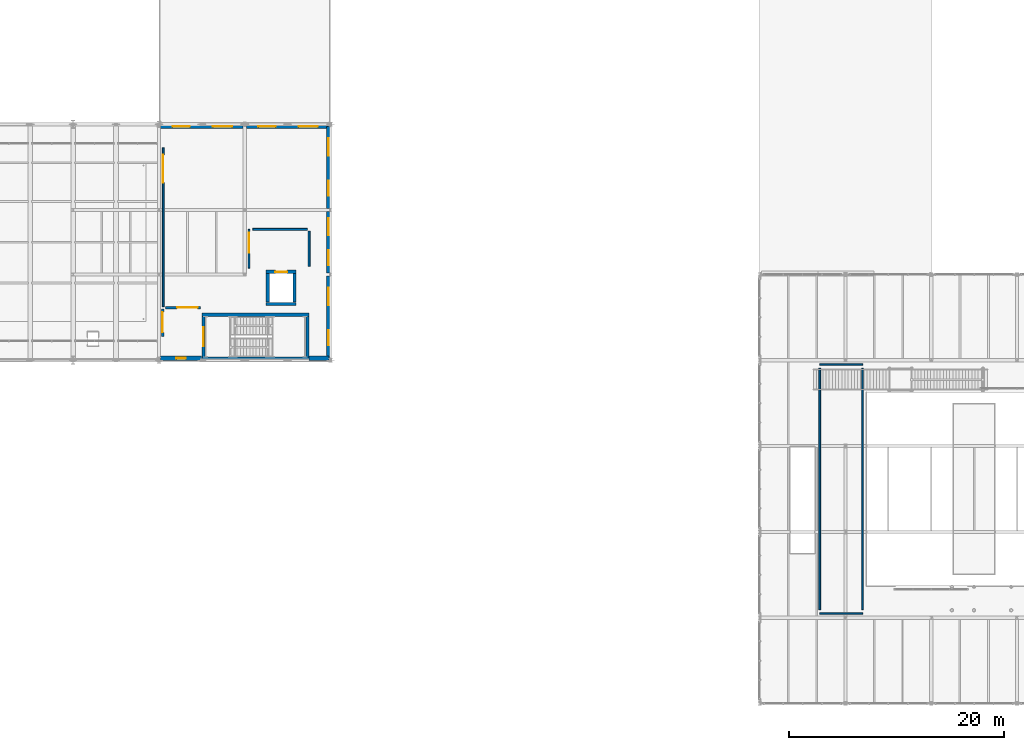
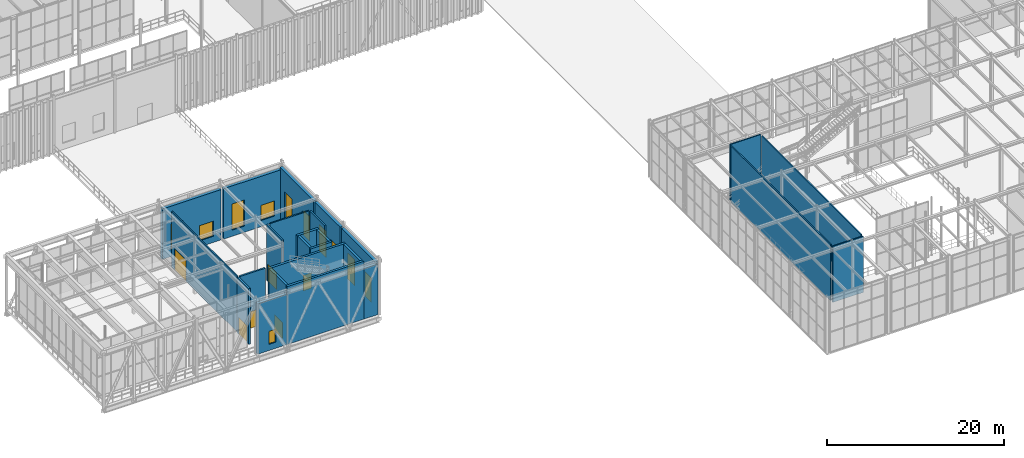
# One storey, part 90 of 138: 25 walls, 11 windows, 6 doors, 17 openings.
"""IFC4 building model written with IfcOpenShell, lengths in metres."""

from ifc_helpers import new_model, si_unit, direction, frame, frame_2d, origin, place, context, subcontext, project, spatial, rectangle, extrude, material, layer, layer_set, type_object, element, fill, save


model = new_model("IFC4")

# Units and contexts
model_context = context("Model", 3, precision=1e-05, world=origin(), true_north=direction((0.0, 1.0)))
body_context = subcontext(model_context, "Body", "Model", "MODEL_VIEW")
ifc_project = project(units=[si_unit("LENGTHUNIT", "METRE"), si_unit("AREAUNIT", "SQUARE_METRE"), si_unit("VOLUMEUNIT", "CUBIC_METRE"), si_unit("PLANEANGLEUNIT", "RADIAN"), si_unit("MASSUNIT", "GRAM", prefix="KILO")], contexts=[model_context])

# Site, building, storey
site_placement = place(None, origin())
site = spatial("IfcSite", under=ifc_project, at=site_placement, CompositionType="ELEMENT")
building_placement = place(site_placement, origin())
building = spatial("IfcBuilding", under=site, at=building_placement, Name="Sundkrona Museum", CompositionType="ELEMENT")
storey_placement = place(building_placement, frame((0.0, 0.0, 9.60009765625)))
storey = spatial("IfcBuildingStorey", under=building, at=storey_placement, Name="L02", CompositionType="ELEMENT", Elevation=9.60009765625)

# Walls
ifc_material_1 = material(Name="Concrete C40/50", Category="concrete")
ifc_layer_1 = layer(ifc_material_1, 0.300048828125)
ifc_layer_set_1 = layer_set([ifc_layer_1], Name="Concrete C40/50")
wall_type_1 = type_object("IfcWallType", Name="W-CORE-300", PredefinedType="SHEAR", material=ifc_layer_set_1)
for number, where, z_axis, x_axis, name in (
    (1, (28.0, 32.14990234375, 0.0), (0.0, 0.0, 1.0), (1.0, 0.0, 0.0), "L02 ST-4 Core Shear Wall South"),
    (2, (28.0, 36.25, 0.0), (0.0, 0.0, 1.0), (1.0, 0.0, 0.0), "L02 ST-4 Core Shear Wall North"),
):
    element("IfcWall", number, at=place(storey_placement, frame(where, z_axis=z_axis, x_axis=x_axis)), inside=storey, type_object=wall_type_1, Name=name, PredefinedType="SHEAR", context=body_context, shape_type="SweptSolid", body=[
        extrude(rectangle(XDim=10.0, YDim=0.300048828125, at=frame_2d((5.0, 0.0))), origin(), (0.0, 0.0, 1.0), 8.0),
    ])

# Wall, opening, door
wall_1_placement = place(storey_placement, frame((28.14990234375, 32.31005859375, 0.0), z_axis=(0.0, 0.0, 1.0), x_axis=(0.0, 1.0, 0.0)))
wall_1 = element("IfcWall", 3, at=wall_1_placement, inside=storey, type_object=wall_type_1, Name="L02 ST-4 Core Shear Wall West", PredefinedType="SHEAR", context=body_context, shape_type="SweptSolid", body=[
    extrude(rectangle(XDim=3.780029296875, YDim=0.300048828125, at=frame_2d((1.89013671875, 0.0))), origin(), (0.0, 0.0, 1.0), 8.0),
])
opening_1_placement = place(wall_1_placement, frame((0.989990234375, 0.0, 0.0)))
opening_1 = element("IfcOpeningElement", 4, at=opening_1_placement, cuts=wall_1, Name="Opening D-FD60", PredefinedType="OPENING", context=body_context, shape_type="SweptSolid", body=[
    extrude(rectangle(XDim=1.800048828125, YDim=2.199951171875, at=frame_2d((0.89990234375, 1.10009765625))), frame((0.0, 0.159912109375, 0.0), z_axis=(0.0, -1.0, 0.0), x_axis=(1.0, 0.0, 0.0)), (0.0, 0.0, 1.0), 0.320068359375),
])
ifc_material_2 = material(Name="Steel S355J2 Fire Door Leaf", Category="steel")
door_type_1 = type_object("IfcDoorType", Name="D-FD60", OperationType="DOUBLE_DOOR_SINGLE_SWING", PredefinedType="DOOR", material=ifc_material_2)
door_1_placement = place(opening_1_placement, origin())
door_1 = element("IfcDoor", 5, at=door_1_placement, inside=storey, type_object=door_type_1, Name="L02 ST-4 Protected Escape Stair Door DR-ST-4-L02", OperationType="DOUBLE_DOOR_SINGLE_SWING", OverallHeight=2.199951171875, OverallWidth=1.800048828125, PredefinedType="DOOR", context=body_context, shape_type="SweptSolid", body=[
    extrude(rectangle(XDim=1.800048828125, YDim=2.199951171875, at=frame_2d((0.89990234375, 1.10009765625))), frame((0.0, 0.02490234375, 0.0), z_axis=(0.0, -1.0, 0.0), x_axis=(1.0, 0.0, 0.0)), (0.0, 0.0, 1.0), 0.050048828125),
])
fill(opening_1, door_1)

# Walls
wall_2_placement = place(storey_placement, frame((37.85009765625, 32.31005859375, 0.0), z_axis=(0.0, 0.0, 1.0), x_axis=(0.0, 1.0, 0.0)))
element("IfcWall", 6, at=wall_2_placement, inside=storey, type_object=wall_type_1, Name="L02 ST-4 Core Shear Wall East", PredefinedType="SHEAR", context=body_context, shape_type="SweptSolid", body=[
    extrude(rectangle(XDim=3.780029296875, YDim=0.300048828125, at=frame_2d((1.89013671875, 0.0))), origin(), (0.0, 0.0, 1.0), 8.0),
])
wall_3_placement = place(storey_placement, frame((34.0, 37.25, 0.0), z_axis=(0.0, 0.0, 1.0), x_axis=(1.0, 0.0, 0.0)))
element("IfcWall", 7, at=wall_3_placement, inside=storey, type_object=wall_type_1, Name="L02 PL-4 Lift Shaft Wall South", PredefinedType="SHEAR", context=body_context, shape_type="SweptSolid", body=[
    extrude(rectangle(XDim=2.800048828125, YDim=0.300048828125, at=frame_2d((1.39990234375, 0.0))), origin(), (0.0, 0.0, 1.0), 8.0),
])

# Wall, opening, door
wall_4_placement = place(storey_placement, frame((34.0, 40.25, 0.0), z_axis=(0.0, 0.0, 1.0), x_axis=(1.0, 0.0, 0.0)))
wall_4 = element("IfcWall", 8, at=wall_4_placement, inside=storey, type_object=wall_type_1, Name="L02 PL-4 Lift Shaft Wall North", PredefinedType="SHEAR", context=body_context, shape_type="SweptSolid", body=[
    extrude(rectangle(XDim=2.800048828125, YDim=0.300048828125, at=frame_2d((1.39990234375, 0.0))), origin(), (0.0, 0.0, 1.0), 8.0),
])
opening_2_placement = place(wall_4_placement, frame((0.85009765625, 0.0, 0.0)))
opening_2 = element("IfcOpeningElement", 9, at=opening_2_placement, cuts=wall_4, Name="Opening LD-01", PredefinedType="OPENING", context=body_context, shape_type="SweptSolid", body=[
    extrude(rectangle(XDim=1.10009765625, YDim=2.14990234375, at=frame_2d((0.550048828125, 1.074951171875))), frame((0.0, 0.159912109375, 0.0), z_axis=(0.0, -1.0, 0.0), x_axis=(1.0, 0.0, 0.0)), (0.0, 0.0, 1.0), 0.320068359375),
])
ifc_material_3 = material(Name="Brushed Stainless Steel Lift Door", Category="steel")
door_type_2 = type_object("IfcDoorType", Name="LD-01", OperationType="SLIDING_TO_LEFT", PredefinedType="DOOR", material=ifc_material_3)
door_2_placement = place(opening_2_placement, origin())
door_2 = element("IfcDoor", 10, at=door_2_placement, inside=storey, type_object=door_type_2, Name="L02 West Pavilion Passenger Lift PL-4 Landing Door DR-LIFT-PL-4-L02", OperationType="SLIDING_TO_LEFT", OverallHeight=2.14990234375, OverallWidth=1.10009765625, PredefinedType="DOOR", context=body_context, shape_type="SweptSolid", body=[
    extrude(rectangle(XDim=1.10009765625, YDim=2.14990234375, at=frame_2d((0.550048828125, 1.074951171875))), frame((0.0, 0.02490234375, 0.0), z_axis=(0.0, -1.0, 0.0), x_axis=(1.0, 0.0, 0.0)), (0.0, 0.0, 1.0), 0.050048828125),
])
fill(opening_2, door_2)

# Walls
for number, where, z_axis, x_axis, name in (
    (11, (34.14990234375, 37.409912109375, 0.0), (0.0, 0.0, 1.0), (0.0, 1.0, 0.0), "L02 PL-4 Lift Shaft Wall West"),
    (12, (36.64990234375, 37.409912109375, 0.0), (0.0, 0.0, 1.0), (0.0, 1.0, 0.0), "L02 PL-4 Lift Shaft Wall East"),
):
    element("IfcWall", number, at=place(storey_placement, frame(where, z_axis=z_axis, x_axis=x_axis)), inside=storey, type_object=wall_type_1, Name=name, PredefinedType="SHEAR", context=body_context, shape_type="SweptSolid", body=[
        extrude(rectangle(XDim=2.68017578125, YDim=0.300048828125, at=frame_2d((1.340087890625, 0.0))), origin(), (0.0, 0.0, 1.0), 8.0),
    ])

# Wall, opening, window
ifc_material_4 = material(Name="Scanian Polychrome Clay Brickwork 390 mm", Category="masonry")
ifc_layer_2 = layer(ifc_material_4, 0.389892578125)
ifc_layer_set_2 = layer_set([ifc_layer_2], Name="Scanian Polychrome Clay Brickwork 390 mm")
wall_type_2 = type_object("IfcWallType", Name="W-EX-390", PredefinedType="SOLIDWALL", material=ifc_layer_set_2)
wall_5_placement = place(storey_placement, frame((27.989990234375, 32.195068359375, 0.0), z_axis=(0.0, 0.0, 1.0), x_axis=(-1.0, 0.0, 0.0)))
wall_5 = element("IfcWall", 13, at=wall_5_placement, inside=storey, type_object=wall_type_2, Name="L02 Facade Wall 0225", PredefinedType="SOLIDWALL", context=body_context, shape_type="SweptSolid", body=[
    extrude(rectangle(XDim=3.8349609375, YDim=0.389892578125, at=frame_2d((1.91748046875, 0.0))), origin(), (0.0, 0.0, 1.0), 6.956787109375),
])
opening_3_placement = place(wall_5_placement, frame((1.467529296875, 0.0, 0.85009765625)))
opening_3 = element("IfcOpeningElement", 14, at=opening_3_placement, cuts=wall_5, Name="Opening WN-ST-090x180", PredefinedType="OPENING", context=body_context, shape_type="SweptSolid", body=[
    extrude(rectangle(XDim=0.89990234375, YDim=1.800048828125, at=frame_2d((0.449951171875, 0.89990234375))), frame((0.0, 0.204833984375, 0.0), z_axis=(0.0, -1.0, 0.0), x_axis=(1.0, 0.0, 0.0)), (0.0, 0.0, 1.0), 0.409912109375),
])
ifc_material_5 = material(Name="Triple Low-E Argon Glazing in Bronze-Anodised Aluminium", Category="aluminium")
window_type_1 = type_object("IfcWindowType", Name="WN-ST-090x180", PartitioningType="SINGLE_PANEL", PredefinedType="WINDOW", material=ifc_material_5)
window_1_placement = place(opening_3_placement, origin())
window_1 = element("IfcWindow", 15, at=window_1_placement, inside=storey, type_object=window_type_1, Name="L02 Stair-core avenue daylight slot window 900x1800 WIN-L02-0309", OverallHeight=1.800048828125, OverallWidth=0.89990234375, PartitioningType="SINGLE_PANEL", PredefinedType="WINDOW", context=body_context, shape_type="SweptSolid", body=[
    extrude(rectangle(XDim=0.89990234375, YDim=1.800048828125, at=frame_2d((0.449951171875, 0.89990234375))), frame((0.0, 0.030029296875, 0.0), z_axis=(0.0, -1.0, 0.0), x_axis=(1.0, 0.0, 0.0)), (0.0, 0.0, 1.0), 0.06005859375),
])
fill(opening_3, window_1)

# Wall
wall_6_placement = place(storey_placement, frame((39.843994140625, 32.195068359375, 0.0), z_axis=(0.0, 0.0, 1.0), x_axis=(-1.0, 0.0, 0.0)))
element("IfcWall", 16, at=wall_6_placement, inside=storey, type_object=wall_type_2, Name="L02 Facade Wall 0226", PredefinedType="SOLIDWALL", context=body_context, shape_type="SweptSolid", body=[
    extrude(rectangle(XDim=1.833984375, YDim=0.389892578125, at=frame_2d((0.9169921875, 0.0))), origin(), (0.0, 0.0, 1.0), 6.956787109375),
])

# Wall, openings, windows
wall_7_placement = place(storey_placement, frame((24.155029296875, 53.804931640625, 0.0), z_axis=(0.0, 0.0, 1.0), x_axis=(1.0, 0.0, 0.0)))
wall_7 = element("IfcWall", 17, at=wall_7_placement, inside=storey, type_object=wall_type_2, Name="L02 Facade Wall 0227", PredefinedType="SOLIDWALL", context=body_context, shape_type="SweptSolid", body=[
    extrude(rectangle(XDim=7.68896484375, YDim=0.389892578125, at=frame_2d((3.844482421875, 0.0))), origin(), (0.0, 0.0, 1.0), 6.956787109375),
])
opening_4_placement = place(wall_7_placement, frame((1.122314453125, 0.0, 0.85009765625)))
opening_4 = element("IfcOpeningElement", 18, at=opening_4_placement, cuts=wall_7, Name="Opening WN-LN-160x360", PredefinedType="OPENING", context=body_context, shape_type="SweptSolid", body=[
    extrude(rectangle(XDim=1.60009765625, YDim=3.60009765625, at=frame_2d((0.800048828125, 1.800048828125))), frame((0.0, 0.204833984375, 0.0), z_axis=(0.0, -1.0, 0.0), x_axis=(1.0, 0.0, 0.0)), (0.0, 0.0, 1.0), 0.409912109375),
])
opening_5_placement = place(wall_7_placement, frame((4.86669921875, 0.0, 0.85009765625)))
opening_5 = element("IfcOpeningElement", 19, at=opening_5_placement, cuts=wall_7, Name="Opening WN-ED-180x210", PredefinedType="OPENING", context=body_context, shape_type="SweptSolid", body=[
    extrude(rectangle(XDim=1.800048828125, YDim=2.10009765625, at=frame_2d((0.89990234375, 1.050048828125))), frame((0.0, 0.204833984375, 0.0), z_axis=(0.0, -1.0, 0.0), x_axis=(1.0, 0.0, 0.0)), (0.0, 0.0, 1.0), 0.409912109375),
])
window_type_2 = type_object("IfcWindowType", Name="WN-ED-180x210", PartitioningType="DOUBLE_PANEL_VERTICAL", PredefinedType="WINDOW", material=ifc_material_5)
window_2_placement = place(opening_5_placement, origin())
window_2 = element("IfcWindow", 20, at=window_2_placement, inside=storey, type_object=window_type_2, Name="L02 Education studio courtyard window 1800x2100 WIN-L02-0311", OverallHeight=2.10009765625, OverallWidth=1.800048828125, PartitioningType="DOUBLE_PANEL_VERTICAL", PredefinedType="WINDOW", context=body_context, shape_type="SweptSolid", body=[
    extrude(rectangle(XDim=1.800048828125, YDim=2.10009765625, at=frame_2d((0.89990234375, 1.050048828125))), frame((0.0, 0.030029296875, 0.0), z_axis=(0.0, -1.0, 0.0), x_axis=(1.0, 0.0, 0.0)), (0.0, 0.0, 1.0), 0.06005859375),
])
fill(opening_5, window_2)
window_type_3 = type_object("IfcWindowType", Name="WN-LN-160x360", PartitioningType="DOUBLE_PANEL_VERTICAL", PredefinedType="WINDOW", material=ifc_material_5)
window_3_placement = place(opening_4_placement, origin())
window_3 = element("IfcWindow", 21, at=window_3_placement, inside=storey, type_object=window_type_3, Name="L02 Monumental double-height lancet window 1600x3600 WIN-L02-0310", OverallHeight=3.60009765625, OverallWidth=1.60009765625, PartitioningType="DOUBLE_PANEL_VERTICAL", PredefinedType="WINDOW", context=body_context, shape_type="SweptSolid", body=[
    extrude(rectangle(XDim=1.60009765625, YDim=3.60009765625, at=frame_2d((0.800048828125, 1.800048828125))), frame((0.0, 0.030029296875, 0.0), z_axis=(0.0, -1.0, 0.0), x_axis=(1.0, 0.0, 0.0)), (0.0, 0.0, 1.0), 0.06005859375),
])
fill(opening_4, window_3)

wall_8_placement = place(storey_placement, frame((32.156005859375, 53.804931640625, 0.0), z_axis=(0.0, 0.0, 1.0), x_axis=(1.0, 0.0, 0.0)))
wall_8 = element("IfcWall", 22, at=wall_8_placement, inside=storey, type_object=wall_type_2, Name="L02 Facade Wall 0228", PredefinedType="SOLIDWALL", context=body_context, shape_type="SweptSolid", body=[
    extrude(rectangle(XDim=7.68798828125, YDim=0.389892578125, at=frame_2d((3.843994140625, 0.0))), origin(), (0.0, 0.0, 1.0), 6.956787109375),
])
opening_6_placement = place(wall_8_placement, frame((1.1220703125, 0.0, 0.85009765625)))
opening_6 = element("IfcOpeningElement", 23, at=opening_6_placement, cuts=wall_8, Name="Opening WN-LN-160x360", PredefinedType="OPENING", context=body_context, shape_type="SweptSolid", body=[
    extrude(rectangle(XDim=1.60009765625, YDim=3.60009765625, at=frame_2d((0.800048828125, 1.800048828125))), frame((0.0, 0.204833984375, 0.0), z_axis=(0.0, -1.0, 0.0), x_axis=(1.0, 0.0, 0.0)), (0.0, 0.0, 1.0), 0.409912109375),
])
opening_7_placement = place(wall_8_placement, frame((4.865966796875, 0.0, 0.85009765625)))
opening_7 = element("IfcOpeningElement", 24, at=opening_7_placement, cuts=wall_8, Name="Opening WN-ED-180x210", PredefinedType="OPENING", context=body_context, shape_type="SweptSolid", body=[
    extrude(rectangle(XDim=1.800048828125, YDim=2.10009765625, at=frame_2d((0.89990234375, 1.050048828125))), frame((0.0, 0.204833984375, 0.0), z_axis=(0.0, -1.0, 0.0), x_axis=(1.0, 0.0, 0.0)), (0.0, 0.0, 1.0), 0.409912109375),
])
window_4_placement = place(opening_7_placement, origin())
window_4 = element("IfcWindow", 25, at=window_4_placement, inside=storey, type_object=window_type_2, Name="L02 Education studio courtyard window 1800x2100 WIN-L02-0313", OverallHeight=2.10009765625, OverallWidth=1.800048828125, PartitioningType="DOUBLE_PANEL_VERTICAL", PredefinedType="WINDOW", context=body_context, shape_type="SweptSolid", body=[
    extrude(rectangle(XDim=1.800048828125, YDim=2.10009765625, at=frame_2d((0.89990234375, 1.050048828125))), frame((0.0, 0.030029296875, 0.0), z_axis=(0.0, -1.0, 0.0), x_axis=(1.0, 0.0, 0.0)), (0.0, 0.0, 1.0), 0.06005859375),
])
fill(opening_7, window_4)
window_5_placement = place(opening_6_placement, origin())
window_5 = element("IfcWindow", 26, at=window_5_placement, inside=storey, type_object=window_type_3, Name="L02 Monumental double-height lancet window 1600x3600 WIN-L02-0312", OverallHeight=3.60009765625, OverallWidth=1.60009765625, PartitioningType="DOUBLE_PANEL_VERTICAL", PredefinedType="WINDOW", context=body_context, shape_type="SweptSolid", body=[
    extrude(rectangle(XDim=1.60009765625, YDim=3.60009765625, at=frame_2d((0.800048828125, 1.800048828125))), frame((0.0, 0.030029296875, 0.0), z_axis=(0.0, -1.0, 0.0), x_axis=(1.0, 0.0, 0.0)), (0.0, 0.0, 1.0), 0.06005859375),
])
fill(opening_6, window_5)

wall_9_placement = place(storey_placement, frame((39.804931640625, 39.867919921875, 0.0), z_axis=(0.0, 0.0, 1.0), x_axis=(0.0, -1.0, 0.0)))
wall_9 = element("IfcWall", 27, at=wall_9_placement, inside=storey, type_object=wall_type_2, Name="L02 Facade Wall 0229", PredefinedType="SOLIDWALL", context=body_context, shape_type="SweptSolid", body=[
    extrude(rectangle(XDim=7.66845703125, YDim=0.389892578125, at=frame_2d((3.834228515625, 0.0))), origin(), (0.0, 0.0, 1.0), 7.219970703125),
])
opening_8_placement = place(wall_9_placement, frame((1.1171875, 0.0, 0.85009765625)))
opening_8 = element("IfcOpeningElement", 28, at=opening_8_placement, cuts=wall_9, Name="Opening WN-LN-160x360", PredefinedType="OPENING", context=body_context, shape_type="SweptSolid", body=[
    extrude(rectangle(XDim=1.60009765625, YDim=3.60009765625, at=frame_2d((0.800048828125, 1.800048828125))), frame((0.0, 0.204833984375, 0.0), z_axis=(0.0, -1.0, 0.0), x_axis=(1.0, 0.0, 0.0)), (0.0, 0.0, 1.0), 0.409912109375),
])
opening_9_placement = place(wall_9_placement, frame((5.051513671875, 0.0, 0.85009765625)))
opening_9 = element("IfcOpeningElement", 29, at=opening_9_placement, cuts=wall_9, Name="Opening WN-LN-140x340", PredefinedType="OPENING", context=body_context, shape_type="SweptSolid", body=[
    extrude(rectangle(XDim=1.39990234375, YDim=3.39990234375, at=frame_2d((0.699951171875, 1.699951171875))), frame((0.0, 0.204833984375, 0.0), z_axis=(0.0, -1.0, 0.0), x_axis=(1.0, 0.0, 0.0)), (0.0, 0.0, 1.0), 0.409912109375),
])
window_type_4 = type_object("IfcWindowType", Name="WN-LN-140x340", PartitioningType="SINGLE_PANEL", PredefinedType="WINDOW", material=ifc_material_5)
window_6_placement = place(opening_9_placement, origin())
window_6 = element("IfcWindow", 30, at=window_6_placement, inside=storey, type_object=window_type_4, Name="L02 Tall brick-pier gallery window 1400x3400 WIN-L02-0315", OverallHeight=3.39990234375, OverallWidth=1.39990234375, PartitioningType="SINGLE_PANEL", PredefinedType="WINDOW", context=body_context, shape_type="SweptSolid", body=[
    extrude(rectangle(XDim=1.39990234375, YDim=3.39990234375, at=frame_2d((0.699951171875, 1.699951171875))), frame((0.0, 0.030029296875, 0.0), z_axis=(0.0, -1.0, 0.0), x_axis=(1.0, 0.0, 0.0)), (0.0, 0.0, 1.0), 0.06005859375),
])
fill(opening_9, window_6)
window_7_placement = place(opening_8_placement, origin())
window_7 = element("IfcWindow", 31, at=window_7_placement, inside=storey, type_object=window_type_3, Name="L02 Monumental double-height lancet window 1600x3600 WIN-L02-0314", OverallHeight=3.60009765625, OverallWidth=1.60009765625, PartitioningType="DOUBLE_PANEL_VERTICAL", PredefinedType="WINDOW", context=body_context, shape_type="SweptSolid", body=[
    extrude(rectangle(XDim=1.60009765625, YDim=3.60009765625, at=frame_2d((0.800048828125, 1.800048828125))), frame((0.0, 0.030029296875, 0.0), z_axis=(0.0, -1.0, 0.0), x_axis=(1.0, 0.0, 0.0)), (0.0, 0.0, 1.0), 0.06005859375),
])
fill(opening_8, window_7)

wall_10_placement = place(storey_placement, frame((39.804931640625, 45.867919921875, 0.0), z_axis=(0.0, 0.0, 1.0), x_axis=(0.0, -1.0, 0.0)))
wall_10 = element("IfcWall", 32, at=wall_10_placement, inside=storey, type_object=wall_type_2, Name="L02 Facade Wall 0230", PredefinedType="SOLIDWALL", context=body_context, shape_type="SweptSolid", body=[
    extrude(rectangle(XDim=5.73583984375, YDim=0.389892578125, at=frame_2d((2.867919921875, 0.0))), origin(), (0.0, 0.0, 1.0), 7.219970703125),
])
opening_10_placement = place(wall_10_placement, frame((0.634033203125, 0.0, 0.85009765625)))
opening_10 = element("IfcOpeningElement", 33, at=opening_10_placement, cuts=wall_10, Name="Opening WN-LN-160x360", PredefinedType="OPENING", context=body_context, shape_type="SweptSolid", body=[
    extrude(rectangle(XDim=1.60009765625, YDim=3.60009765625, at=frame_2d((0.800048828125, 1.800048828125))), frame((0.0, 0.204833984375, 0.0), z_axis=(0.0, -1.0, 0.0), x_axis=(1.0, 0.0, 0.0)), (0.0, 0.0, 1.0), 0.409912109375),
])
opening_11_placement = place(wall_10_placement, frame((3.60205078125, 0.0, 0.85009765625)))
opening_11 = element("IfcOpeningElement", 34, at=opening_11_placement, cuts=wall_10, Name="Opening WN-LN-140x340", PredefinedType="OPENING", context=body_context, shape_type="SweptSolid", body=[
    extrude(rectangle(XDim=1.39990234375, YDim=3.39990234375, at=frame_2d((0.699951171875, 1.699951171875))), frame((0.0, 0.204833984375, 0.0), z_axis=(0.0, -1.0, 0.0), x_axis=(1.0, 0.0, 0.0)), (0.0, 0.0, 1.0), 0.409912109375),
])
window_8_placement = place(opening_11_placement, origin())
window_8 = element("IfcWindow", 35, at=window_8_placement, inside=storey, type_object=window_type_4, Name="L02 Tall brick-pier gallery window 1400x3400 WIN-L02-0317", OverallHeight=3.39990234375, OverallWidth=1.39990234375, PartitioningType="SINGLE_PANEL", PredefinedType="WINDOW", context=body_context, shape_type="SweptSolid", body=[
    extrude(rectangle(XDim=1.39990234375, YDim=3.39990234375, at=frame_2d((0.699951171875, 1.699951171875))), frame((0.0, 0.030029296875, 0.0), z_axis=(0.0, -1.0, 0.0), x_axis=(1.0, 0.0, 0.0)), (0.0, 0.0, 1.0), 0.06005859375),
])
fill(opening_11, window_8)
window_9_placement = place(opening_10_placement, origin())
window_9 = element("IfcWindow", 36, at=window_9_placement, inside=storey, type_object=window_type_3, Name="L02 Monumental double-height lancet window 1600x3600 WIN-L02-0316", OverallHeight=3.60009765625, OverallWidth=1.60009765625, PartitioningType="DOUBLE_PANEL_VERTICAL", PredefinedType="WINDOW", context=body_context, shape_type="SweptSolid", body=[
    extrude(rectangle(XDim=1.60009765625, YDim=3.60009765625, at=frame_2d((0.800048828125, 1.800048828125))), frame((0.0, 0.030029296875, 0.0), z_axis=(0.0, -1.0, 0.0), x_axis=(1.0, 0.0, 0.0)), (0.0, 0.0, 1.0), 0.06005859375),
])
fill(opening_10, window_9)

wall_11_placement = place(storey_placement, frame((39.804931640625, 53.800537109375, 0.0), z_axis=(0.0, 0.0, 1.0), x_axis=(0.0, -1.0, 0.0)))
wall_11 = element("IfcWall", 37, at=wall_11_placement, inside=storey, type_object=wall_type_2, Name="L02 Facade Wall 0231", PredefinedType="SOLIDWALL", context=body_context, shape_type="SweptSolid", body=[
    extrude(rectangle(XDim=7.66845703125, YDim=0.389892578125, at=frame_2d((3.834228515625, 0.0))), origin(), (0.0, 0.0, 1.0), 7.219970703125),
])
opening_12_placement = place(wall_11_placement, frame((1.1171875, 0.0, 0.85009765625)))
opening_12 = element("IfcOpeningElement", 38, at=opening_12_placement, cuts=wall_11, Name="Opening WN-LN-160x360", PredefinedType="OPENING", context=body_context, shape_type="SweptSolid", body=[
    extrude(rectangle(XDim=1.60009765625, YDim=3.60009765625, at=frame_2d((0.800048828125, 1.800048828125))), frame((0.0, 0.204833984375, 0.0), z_axis=(0.0, -1.0, 0.0), x_axis=(1.0, 0.0, 0.0)), (0.0, 0.0, 1.0), 0.409912109375),
])
opening_13_placement = place(wall_11_placement, frame((5.051513671875, 0.0, 0.85009765625)))
opening_13 = element("IfcOpeningElement", 39, at=opening_13_placement, cuts=wall_11, Name="Opening WN-LN-140x340", PredefinedType="OPENING", context=body_context, shape_type="SweptSolid", body=[
    extrude(rectangle(XDim=1.39990234375, YDim=3.39990234375, at=frame_2d((0.699951171875, 1.699951171875))), frame((0.0, 0.204833984375, 0.0), z_axis=(0.0, -1.0, 0.0), x_axis=(1.0, 0.0, 0.0)), (0.0, 0.0, 1.0), 0.409912109375),
])
window_10_placement = place(opening_13_placement, origin())
window_10 = element("IfcWindow", 40, at=window_10_placement, inside=storey, type_object=window_type_4, Name="L02 Tall brick-pier gallery window 1400x3400 WIN-L02-0319", OverallHeight=3.39990234375, OverallWidth=1.39990234375, PartitioningType="SINGLE_PANEL", PredefinedType="WINDOW", context=body_context, shape_type="SweptSolid", body=[
    extrude(rectangle(XDim=1.39990234375, YDim=3.39990234375, at=frame_2d((0.699951171875, 1.699951171875))), frame((0.0, 0.030029296875, 0.0), z_axis=(0.0, -1.0, 0.0), x_axis=(1.0, 0.0, 0.0)), (0.0, 0.0, 1.0), 0.06005859375),
])
fill(opening_13, window_10)
window_11_placement = place(opening_12_placement, origin())
window_11 = element("IfcWindow", 41, at=window_11_placement, inside=storey, type_object=window_type_3, Name="L02 Monumental double-height lancet window 1600x3600 WIN-L02-0318", OverallHeight=3.60009765625, OverallWidth=1.60009765625, PartitioningType="DOUBLE_PANEL_VERTICAL", PredefinedType="WINDOW", context=body_context, shape_type="SweptSolid", body=[
    extrude(rectangle(XDim=1.60009765625, YDim=3.60009765625, at=frame_2d((0.800048828125, 1.800048828125))), frame((0.0, 0.030029296875, 0.0), z_axis=(0.0, -1.0, 0.0), x_axis=(1.0, 0.0, 0.0)), (0.0, 0.0, 1.0), 0.06005859375),
])
fill(opening_12, window_11)

# Wall, opening, door
ifc_material_6 = material(Name="Autoclaved Aerated Masonry 225 mm", Category="masonry")
ifc_layer_3 = layer(ifc_material_6, 0.22509765625)
ifc_layer_set_3 = layer_set([ifc_layer_3], Name="Autoclaved Aerated Masonry 225 mm")
wall_type_3 = type_object("IfcWallType", Name="W-FF-225", PredefinedType="SOLIDWALL", material=ifc_layer_set_3)
wall_12_placement = place(storey_placement, frame((24.60009765625, 36.89990234375, 0.0), z_axis=(0.0, 0.0, 1.0), x_axis=(1.0, 0.0, 0.0)))
wall_12 = element("IfcWall", 42, at=wall_12_placement, inside=storey, type_object=wall_type_3, Name="L02 Partition Core 4 Stair Lobby / West Cantilever Approach", PredefinedType="SOLIDWALL", context=body_context, shape_type="SweptSolid", body=[
    extrude(rectangle(XDim=3.2998046875, YDim=0.22509765625, at=frame_2d((1.64990234375, 0.0))), origin(), (0.0, 0.0, 1.0), 7.6748046875),
])
opening_14_placement = place(wall_12_placement, frame((1.10009765625, 0.0, 0.0)))
opening_14 = element("IfcOpeningElement", 43, at=opening_14_placement, cuts=wall_12, Name="Opening D-AUD-190", PredefinedType="OPENING", context=body_context, shape_type="SweptSolid", body=[
    extrude(rectangle(XDim=1.89990234375, YDim=2.35009765625, at=frame_2d((0.949951171875, 1.175048828125))), frame((0.0, 0.12255859375, 0.0), z_axis=(0.0, -1.0, 0.0), x_axis=(1.0, 0.0, 0.0)), (0.0, 0.0, 1.0), 0.2451171875),
])
ifc_material_7 = material(Name="Acoustic Oak Fire Door", Category="other")
door_type_3 = type_object("IfcDoorType", Name="D-AUD-190", OperationType="DOUBLE_DOOR_SINGLE_SWING", PredefinedType="DOOR", material=ifc_material_7)
door_3_placement = place(opening_14_placement, origin())
door_3 = element("IfcDoor", 44, at=door_3_placement, inside=storey, type_object=door_type_3, Name="L02 Interior Door DR-ADJ-L02-0126", OperationType="DOUBLE_DOOR_SINGLE_SWING", OverallHeight=2.35009765625, OverallWidth=1.89990234375, PredefinedType="DOOR", context=body_context, shape_type="SweptSolid", body=[
    extrude(rectangle(XDim=1.89990234375, YDim=2.35009765625, at=frame_2d((0.949951171875, 1.175048828125))), frame((0.0, 0.02490234375, 0.0), z_axis=(0.0, -1.0, 0.0), x_axis=(1.0, 0.0, 0.0)), (0.0, 0.0, 1.0), 0.050048828125),
])
fill(opening_14, door_3)

wall_13_placement = place(storey_placement, frame((24.35009765625, 34.199951171875, 0.0), z_axis=(0.0, 0.0, 1.0), x_axis=(0.0, 1.0, 0.0)))
wall_13 = element("IfcWall", 45, at=wall_13_placement, inside=storey, type_object=wall_type_3, Name="L02 Partition Core 4 Stair Lobby / Sculpture Cantilever Gallery", PredefinedType="SOLIDWALL", context=body_context, shape_type="SweptSolid", body=[
    extrude(rectangle(XDim=2.60009765625, YDim=0.22509765625, at=frame_2d((1.300048828125, 0.0))), origin(), (0.0, 0.0, 1.0), 7.6748046875),
])
opening_15_placement = place(wall_13_placement, frame((0.39990234375, 0.0, 0.0)))
opening_15 = element("IfcOpeningElement", 46, at=opening_15_placement, cuts=wall_13, Name="Opening D-AUD-190", PredefinedType="OPENING", context=body_context, shape_type="SweptSolid", body=[
    extrude(rectangle(XDim=1.89990234375, YDim=2.35009765625, at=frame_2d((0.949951171875, 1.175048828125))), frame((0.0, 0.12255859375, 0.0), z_axis=(0.0, -1.0, 0.0), x_axis=(1.0, 0.0, 0.0)), (0.0, 0.0, 1.0), 0.2451171875),
])
door_4_placement = place(opening_15_placement, origin())
door_4 = element("IfcDoor", 47, at=door_4_placement, inside=storey, type_object=door_type_3, Name="L02 Interior Door DR-ADJ-L02-0127", OperationType="DOUBLE_DOOR_SINGLE_SWING", OverallHeight=2.35009765625, OverallWidth=1.89990234375, PredefinedType="DOOR", context=body_context, shape_type="SweptSolid", body=[
    extrude(rectangle(XDim=1.89990234375, YDim=2.35009765625, at=frame_2d((0.949951171875, 1.175048828125))), frame((0.0, 0.02490234375, 0.0), z_axis=(0.0, -1.0, 0.0), x_axis=(1.0, 0.0, 0.0)), (0.0, 0.0, 1.0), 0.050048828125),
])
fill(opening_15, door_4)

# Wall
ifc_material_8 = material(Name="Acoustic Gypsum Partition Board 150 mm", Category="other")
ifc_layer_4 = layer(ifc_material_8, 0.14990234375)
ifc_layer_set_4 = layer_set([ifc_layer_4], Name="Acoustic Gypsum Partition Board 150 mm")
wall_type_4 = type_object("IfcWallType", Name="W-PT-150", PredefinedType="PARTITIONING", material=ifc_layer_set_4)
wall_14_placement = place(storey_placement, frame((85.60009765625, 31.60009765625, 0.0), z_axis=(0.0, 0.0, 1.0), x_axis=(1.0, 0.0, 0.0)))
element("IfcWall", 48, at=wall_14_placement, inside=storey, type_object=wall_type_4, Name="L02 Partition Atrium Upper Promenade / Atrium West Gallery", PredefinedType="PARTITIONING", context=body_context, shape_type="SweptSolid", body=[
    extrude(rectangle(XDim=4.0, YDim=0.14990234375, at=frame_2d((2.0, 0.0))), origin(), (0.0, 0.0, 1.0), 7.739990234375),
])

# Wall, opening, door
wall_15_placement = place(storey_placement, frame((24.39990234375, 37.0, 0.0), z_axis=(0.0, 0.0, 1.0), x_axis=(0.0, 1.0, 0.0)))
wall_15 = element("IfcWall", 49, at=wall_15_placement, inside=storey, type_object=wall_type_4, Name="L02 Partition West Cantilever Approach / Sculpture Cantilever Gallery", PredefinedType="PARTITIONING", context=body_context, shape_type="SweptSolid", body=[
    extrude(rectangle(XDim=14.800048828125, YDim=0.14990234375, at=frame_2d((7.39990234375, 0.0))), origin(), (0.0, 0.0, 1.0), 7.6748046875),
])
opening_16_placement = place(wall_15_placement, frame((11.548583984375, 0.0, 0.0)))
opening_16 = element("IfcOpeningElement", 50, at=opening_16_placement, cuts=wall_15, Name="Opening D-GAL-260", PredefinedType="OPENING", context=body_context, shape_type="SweptSolid", body=[
    extrude(rectangle(XDim=2.60009765625, YDim=2.89990234375, at=frame_2d((1.300048828125, 1.449951171875))), frame((0.0, 0.0849609375, 0.0), z_axis=(0.0, -1.0, 0.0), x_axis=(1.0, 0.0, 0.0)), (0.0, 0.0, 1.0), 0.169921875),
])
ifc_material_9 = material(Name="European Oak and Bronze Portal", Category="other")
door_type_4 = type_object("IfcDoorType", Name="D-GAL-260", OperationType="DOUBLE_DOOR_DOUBLE_SWING", PredefinedType="DOOR", material=ifc_material_9)
door_5_placement = place(opening_16_placement, origin())
door_5 = element("IfcDoor", 51, at=door_5_placement, inside=storey, type_object=door_type_4, Name="L02 Interior Door DR-ADJ-L02-0142", OperationType="DOUBLE_DOOR_DOUBLE_SWING", OverallHeight=2.89990234375, OverallWidth=2.60009765625, PredefinedType="DOOR", context=body_context, shape_type="SweptSolid", body=[
    extrude(rectangle(XDim=2.60009765625, YDim=2.89990234375, at=frame_2d((1.300048828125, 1.449951171875))), frame((0.0, 0.02490234375, 0.0), z_axis=(0.0, -1.0, 0.0), x_axis=(1.0, 0.0, 0.0)), (0.0, 0.0, 1.0), 0.050048828125),
])
fill(opening_16, door_5)

# Walls
wall_16_placement = place(storey_placement, frame((85.60009765625, 8.39990234375, 0.0), z_axis=(0.0, 0.0, 1.0), x_axis=(1.0, 0.0, 0.0)))
element("IfcWall", 52, at=wall_16_placement, inside=storey, type_object=wall_type_4, Name="L02 Partition Atrium Sculpture Overlook / Atrium West Gallery", PredefinedType="PARTITIONING", context=body_context, shape_type="SweptSolid", body=[
    extrude(rectangle(XDim=4.0, YDim=0.14990234375, at=frame_2d((2.0, 0.0))), origin(), (0.0, 0.0, 1.0), 7.739990234375),
])
for number, where, z_axis, x_axis, name in (
    (53, (85.60009765625, 8.75, 0.0), (0.0, 0.0, 1.0), (0.0, 1.0, 0.0), "L02 Atrium West Gallery Enclosure Wall W"),
    (54, (89.60009765625, 8.75, 0.0), (0.0, 0.0, 1.0), (0.0, 1.0, 0.0), "L02 Atrium West Gallery Enclosure Wall E"),
):
    element("IfcWall", number, at=place(storey_placement, frame(where, z_axis=z_axis, x_axis=x_axis)), inside=storey, type_object=wall_type_4, Name=name, PredefinedType="PARTITIONING", context=body_context, shape_type="SweptSolid", body=[
        extrude(rectangle(XDim=22.5, YDim=0.14990234375, at=frame_2d((11.25, 0.0))), origin(), (0.0, 0.0, 1.0), 7.739990234375),
    ])

# Wall, opening, door
ifc_material_10 = material(Name="Fire-rated Gypsum Partition Board 175 mm", Category="other")
ifc_layer_5 = layer(ifc_material_10, 0.175048828125)
ifc_layer_set_5 = layer_set([ifc_layer_5], Name="Fire-rated Gypsum Partition Board 175 mm")
wall_type_5 = type_object("IfcWallType", Name="W-PT-175", PredefinedType="PARTITIONING", material=ifc_layer_set_5)
wall_17_placement = place(storey_placement, frame((32.39990234375, 40.60009765625, 0.0), z_axis=(0.0, 0.0, 1.0), x_axis=(0.0, 1.0, 0.0)))
wall_17 = element("IfcWall", 55, at=wall_17_placement, inside=storey, type_object=wall_type_5, Name="L02 Partition West Pavilion Lift Lobby / West Cantilever Approach", PredefinedType="PARTITIONING", context=body_context, shape_type="SweptSolid", body=[
    extrude(rectangle(XDim=3.599853515625, YDim=0.175048828125, at=frame_2d((1.7998046875, 0.0))), origin(), (0.0, 0.0, 1.0), 7.6748046875),
])
opening_17_placement = place(wall_17_placement, frame((1.39990234375, 0.0, 0.0)))
opening_17 = element("IfcOpeningElement", 56, at=opening_17_placement, cuts=wall_17, Name="Opening D-AUD-190", PredefinedType="OPENING", context=body_context, shape_type="SweptSolid", body=[
    extrude(rectangle(XDim=1.89990234375, YDim=2.35009765625, at=frame_2d((0.949951171875, 1.175048828125))), frame((0.0, 0.097412109375, 0.0), z_axis=(0.0, -1.0, 0.0), x_axis=(1.0, 0.0, 0.0)), (0.0, 0.0, 1.0), 0.195068359375),
])
door_6_placement = place(opening_17_placement, origin())
door_6 = element("IfcDoor", 57, at=door_6_placement, inside=storey, type_object=door_type_3, Name="L02 Interior Door DR-ADJ-L02-0128", OperationType="DOUBLE_DOOR_SINGLE_SWING", OverallHeight=2.35009765625, OverallWidth=1.89990234375, PredefinedType="DOOR", context=body_context, shape_type="SweptSolid", body=[
    extrude(rectangle(XDim=1.89990234375, YDim=2.35009765625, at=frame_2d((0.949951171875, 1.175048828125))), frame((0.0, 0.02490234375, 0.0), z_axis=(0.0, -1.0, 0.0), x_axis=(1.0, 0.0, 0.0)), (0.0, 0.0, 1.0), 0.050048828125),
])
fill(opening_17, door_6)

# Walls
wall_18_placement = place(storey_placement, frame((32.75, 44.199951171875, 0.0), z_axis=(0.0, 0.0, 1.0), x_axis=(1.0, 0.0, 0.0)))
element("IfcWall", 58, at=wall_18_placement, inside=storey, type_object=wall_type_5, Name="L02 West Pavilion Lift Lobby Enclosure Wall N", PredefinedType="PARTITIONING", context=body_context, shape_type="SweptSolid", body=[
    extrude(rectangle(XDim=5.10009765625, YDim=0.175048828125, at=frame_2d((2.550048828125, 0.0))), origin(), (0.0, 0.0, 1.0), 7.6748046875),
])
wall_19_placement = place(storey_placement, frame((38.0, 40.75, 0.0), z_axis=(0.0, 0.0, 1.0), x_axis=(0.0, 1.0, 0.0)))
element("IfcWall", 59, at=wall_19_placement, inside=storey, type_object=wall_type_5, Name="L02 West Pavilion Lift Lobby Enclosure Wall E", PredefinedType="PARTITIONING", context=body_context, shape_type="SweptSolid", body=[
    extrude(rectangle(XDim=3.300048828125, YDim=0.175048828125, at=frame_2d((1.64990234375, 0.0))), origin(), (0.0, 0.0, 1.0), 7.6748046875),
])

save(model, "model.ifc")
